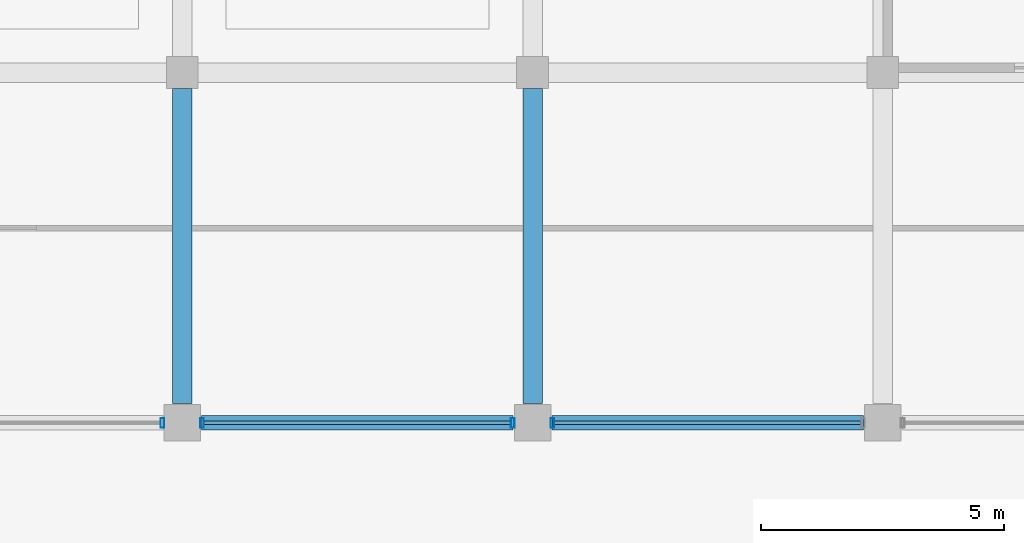
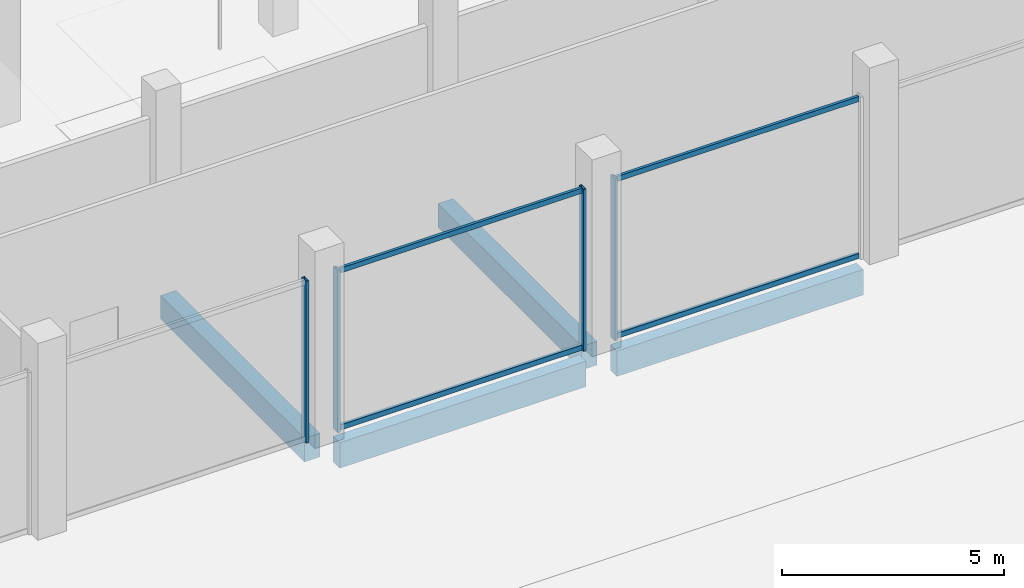
# One storey, part 32 of 90: 8 members, 4 beams, 3 elements without a shape of their own.
"""IFC4 building model written with IfcOpenShell, lengths in metres."""

from ifc_helpers import new_model, si_unit, direction, frame, origin, origin_2d, place, context, subcontext, project, spatial, rectangle, hollow_rectangle, extrude, material, layer, layer_set, material_profile, profile_set, type_object, element, aggregate, save


model = new_model("IFC4")

# Units and contexts
model_context = context("Model", 3, precision=1e-05, world=origin(), true_north=direction((0.0, 1.0)))
body_context = subcontext(model_context, "Body", "Model", "MODEL_VIEW")
ifc_project = project(units=[si_unit("LENGTHUNIT", "METRE"), si_unit("AREAUNIT", "SQUARE_METRE"), si_unit("VOLUMEUNIT", "CUBIC_METRE"), si_unit("PLANEANGLEUNIT", "RADIAN"), si_unit("MASSUNIT", "GRAM", prefix="KILO")], contexts=[model_context])

# Site, building, storey
site_placement = place(None, origin())
site = spatial("IfcSite", under=ifc_project, at=site_placement, CompositionType="ELEMENT")
building_placement = place(site_placement, origin())
building = spatial("IfcBuilding", under=site, at=building_placement, Name="Kangsadwip Square Police Headquarters", CompositionType="ELEMENT")
storey_placement = place(building_placement, origin())
storey = spatial("IfcBuildingStorey", under=building, at=storey_placement, Name="L00", CompositionType="ELEMENT", Elevation=0.0)

# Curtain wall, member
ifc_material_1 = material(Name="Thermally broken anodised aluminium AW-6063-T6", Category="aluminium")
ifc_layer = layer(ifc_material_1, 0.159912109375)
ifc_layer_set = layer_set([ifc_layer], Name="Thermally broken anodised aluminium AW-6063-T6")
curtain_wall_type = type_object("IfcCurtainWallType", Name="CourtScreen6460x4450", PredefinedType="USERDEFINED", material=ifc_layer_set)
curtain_wall_1_placement = place(storey_placement, origin())
curtain_wall_1 = element("IfcCurtainWall", 1, at=curtain_wall_1_placement, inside=storey, type_object=curtain_wall_type, Name="Curtain Wall CW-L00-1084-0936", ObjectType="GLAZED_SCREEN", PredefinedType="USERDEFINED")
ifc_material_2 = material(Name="Thermally broken anodised aluminium AW-6063-T6", Category="aluminium")
ifc_material_profile_1 = material_profile(ifc_material_2, hollow_rectangle(XDim=0.074951171875, YDim=0.199951171875, WallThickness=0.0048828125, at=origin_2d()), Name="CWM 200X75X5")
ifc_profile_set_1 = profile_set([ifc_material_profile_1], Name="Thermally broken anodised aluminium AW-6063-T6")
member_type_1 = type_object("IfcMemberType", Name="CwMullion180x75", PredefinedType="MULLION", material=ifc_profile_set_1)
member_1_placement = place(storey_placement, frame((114.79248046875, 93.60009765625, 0.0), z_axis=(0.0, 0.0, 1.0), x_axis=(1.0, 0.0, 0.0)))
member_1 = element("IfcMember", 2, at=member_1_placement, type_object=member_type_1, Name="CW-04 mullion 2", PredefinedType="MULLION", context=body_context, shape_type="SweptSolid", body=[
    extrude(hollow_rectangle(XDim=0.074951171875, YDim=0.199951171875, WallThickness=0.0048828125, at=origin_2d()), origin(), (0.0, 0.0, 1.0), 4.449951171875),
])
aggregate(curtain_wall_1, [member_1])

# Curtain wall, members
curtain_wall_2_placement = place(storey_placement, origin())
curtain_wall_2 = element("IfcCurtainWall", 3, at=curtain_wall_2_placement, inside=storey, type_object=curtain_wall_type, Name="Curtain Wall CW-L00-1156-0936", ObjectType="GLAZED_SCREEN", PredefinedType="USERDEFINED")
member_2_placement = place(storey_placement, frame((115.607421875, 93.60009765625, 0.0), z_axis=(0.0, 0.0, 1.0), x_axis=(1.0, 0.0, 0.0)))
member_2 = element("IfcMember", 4, at=member_2_placement, type_object=member_type_1, Name="CW-04 mullion 1", PredefinedType="MULLION", context=body_context, shape_type="SweptSolid", body=[
    extrude(hollow_rectangle(XDim=0.074951171875, YDim=0.199951171875, WallThickness=0.0048828125, at=origin_2d()), origin(), (0.0, 0.0, 1.0), 4.449951171875),
])
member_3_placement = place(storey_placement, frame((121.992431640625, 93.60009765625, 0.0), z_axis=(0.0, 0.0, 1.0), x_axis=(1.0, 0.0, 0.0)))
member_3 = element("IfcMember", 5, at=member_3_placement, type_object=member_type_1, Name="CW-04 mullion 2", PredefinedType="MULLION", context=body_context, shape_type="SweptSolid", body=[
    extrude(hollow_rectangle(XDim=0.074951171875, YDim=0.199951171875, WallThickness=0.0048828125, at=origin_2d()), origin(), (0.0, 0.0, 1.0), 4.449951171875),
])

# Curtain wall, member
curtain_wall_3_placement = place(storey_placement, origin())
curtain_wall_3 = element("IfcCurtainWall", 6, at=curtain_wall_3_placement, inside=storey, type_object=curtain_wall_type, Name="Curtain Wall CW-L00-1228-0936", ObjectType="GLAZED_SCREEN", PredefinedType="USERDEFINED")
member_4_placement = place(storey_placement, frame((122.8076171875, 93.60009765625, 0.0), z_axis=(0.0, 0.0, 1.0), x_axis=(1.0, 0.0, 0.0)))
member_4 = element("IfcMember", 7, at=member_4_placement, type_object=member_type_1, Name="CW-04 mullion 1", PredefinedType="MULLION", context=body_context, shape_type="SweptSolid", body=[
    extrude(hollow_rectangle(XDim=0.074951171875, YDim=0.199951171875, WallThickness=0.0048828125, at=origin_2d()), origin(), (0.0, 0.0, 1.0), 4.449951171875),
])

# Member
ifc_material_3 = material(Name="Thermally broken anodised aluminium AW-6063-T6", Category="aluminium")
ifc_material_profile_2 = material_profile(ifc_material_3, hollow_rectangle(XDim=0.074951171875, YDim=0.139892578125, WallThickness=0.0048828125, at=origin_2d()), Name="CWT 140X75X5")
ifc_profile_set_2 = profile_set([ifc_material_profile_2], Name="Thermally broken anodised aluminium AW-6063-T6")
member_type_2 = type_object("IfcMemberType", Name="CwTransom160x65", PredefinedType="USERDEFINED", material=ifc_profile_set_2)
member_5_placement = place(storey_placement, frame((115.64501953125, 93.60009765625, 0.070068359375), z_axis=(1.0, 0.0, 0.0), x_axis=(0.0, 1.0, 0.0)))
member_5 = element("IfcMember", 8, at=member_5_placement, type_object=member_type_2, Name="CW-04 transom 1.1", ObjectType="TRANSOM", PredefinedType="USERDEFINED", context=body_context, shape_type="SweptSolid", body=[
    extrude(hollow_rectangle(XDim=0.074951171875, YDim=0.139892578125, WallThickness=0.0048828125, at=origin_2d()), origin(), (0.0, 0.0, 1.0), 6.31005859375),
])

member_6_placement = place(storey_placement, frame((115.64501953125, 93.60009765625, 4.3798828125), z_axis=(1.0, 0.0, 0.0), x_axis=(0.0, 1.0, 0.0)))
member_6 = element("IfcMember", 9, at=member_6_placement, type_object=member_type_2, Name="CW-04 transom 1.2", ObjectType="TRANSOM", PredefinedType="USERDEFINED", context=body_context, shape_type="SweptSolid", body=[
    extrude(hollow_rectangle(XDim=0.074951171875, YDim=0.139892578125, WallThickness=0.0048828125, at=origin_2d()), origin(), (0.0, 0.0, 1.0), 6.31005859375),
])

aggregate(curtain_wall_2, [member_2, member_3, member_5, member_6])

member_7_placement = place(storey_placement, frame((122.844970703125, 93.60009765625, 0.070068359375), z_axis=(1.0, 0.0, 0.0), x_axis=(0.0, 1.0, 0.0)))
member_7 = element("IfcMember", 10, at=member_7_placement, type_object=member_type_2, Name="CW-04 transom 1.1", ObjectType="TRANSOM", PredefinedType="USERDEFINED", context=body_context, shape_type="SweptSolid", body=[
    extrude(hollow_rectangle(XDim=0.074951171875, YDim=0.139892578125, WallThickness=0.0048828125, at=origin_2d()), origin(), (0.0, 0.0, 1.0), 6.31005859375),
])

member_8_placement = place(storey_placement, frame((122.844970703125, 93.60009765625, 4.3798828125), z_axis=(1.0, 0.0, 0.0), x_axis=(0.0, 1.0, 0.0)))
member_8 = element("IfcMember", 11, at=member_8_placement, type_object=member_type_2, Name="CW-04 transom 1.2", ObjectType="TRANSOM", PredefinedType="USERDEFINED", context=body_context, shape_type="SweptSolid", body=[
    extrude(hollow_rectangle(XDim=0.074951171875, YDim=0.139892578125, WallThickness=0.0048828125, at=origin_2d()), origin(), (0.0, 0.0, 1.0), 6.31005859375),
])

aggregate(curtain_wall_3, [member_4, member_7, member_8])

# Beams
ifc_material_4 = material(Name="Concrete M35 (35 MPa)", Category="concrete")
ifc_material_profile_3 = material_profile(ifc_material_4, rectangle(XDim=0.39990234375, YDim=0.64990234375, at=origin_2d()), Name="RC BM 650X400")
ifc_profile_set_3 = profile_set([ifc_material_profile_3], Name="Concrete M35 (35 MPa)")
beam_type_1 = type_object("IfcBeamType", Name="RcBeam650x400", PredefinedType="BEAM", material=ifc_profile_set_3)
for number, where, z_axis, x_axis, name in (
    (12, (115.199951171875, 94.0, -0.574951171875), (0.0, 1.0, 0.0), (-1.0, 0.0, 0.0), "Beam BM-L00-Y-16-13"),
    (13, (122.39990234375, 94.0, -0.574951171875), (0.0, 1.0, 0.0), (-1.0, 0.0, 0.0), "Beam BM-L00-Y-17-13"),
):
    element("IfcBeam", number, at=place(storey_placement, frame(where, z_axis=z_axis, x_axis=x_axis)), inside=storey, type_object=beam_type_1, Name=name, PredefinedType="BEAM", context=body_context, shape_type="SweptSolid", body=[
        extrude(rectangle(XDim=0.39990234375, YDim=0.64990234375, at=origin_2d()), origin(), (0.0, 0.0, 1.0), 6.47509765625),
    ])
ifc_material_5 = material(Name="Concrete M40 (40 MPa)", Category="concrete")
ifc_material_profile_4 = material_profile(ifc_material_5, rectangle(XDim=0.300048828125, YDim=0.699951171875, at=origin_2d()), Name="RC SPN 700X300")
ifc_profile_set_4 = profile_set([ifc_material_profile_4], Name="Concrete M40 (40 MPa)")
beam_type_2 = type_object("IfcBeamType", Name="RcSpandrel700x300", PredefinedType="SPANDREL", material=ifc_profile_set_4)
for number, where, z_axis, x_axis, name in (
    (14, (115.60009765625, 93.60009765625, -0.60009765625), (1.0, 0.0, 0.0), (0.0, 1.0, 0.0), "Beam BM-L00-X-16-13"),
    (15, (122.800048828125, 93.60009765625, -0.60009765625), (1.0, 0.0, 0.0), (0.0, 1.0, 0.0), "Beam BM-L00-X-17-13"),
):
    element("IfcBeam", number, at=place(storey_placement, frame(where, z_axis=z_axis, x_axis=x_axis)), inside=storey, type_object=beam_type_2, Name=name, PredefinedType="SPANDREL", context=body_context, shape_type="SweptSolid", body=[
        extrude(rectangle(XDim=0.300048828125, YDim=0.699951171875, at=origin_2d()), origin(), (0.0, 0.0, 1.0), 6.39990234375),
    ])

save(model, "model.ifc")
